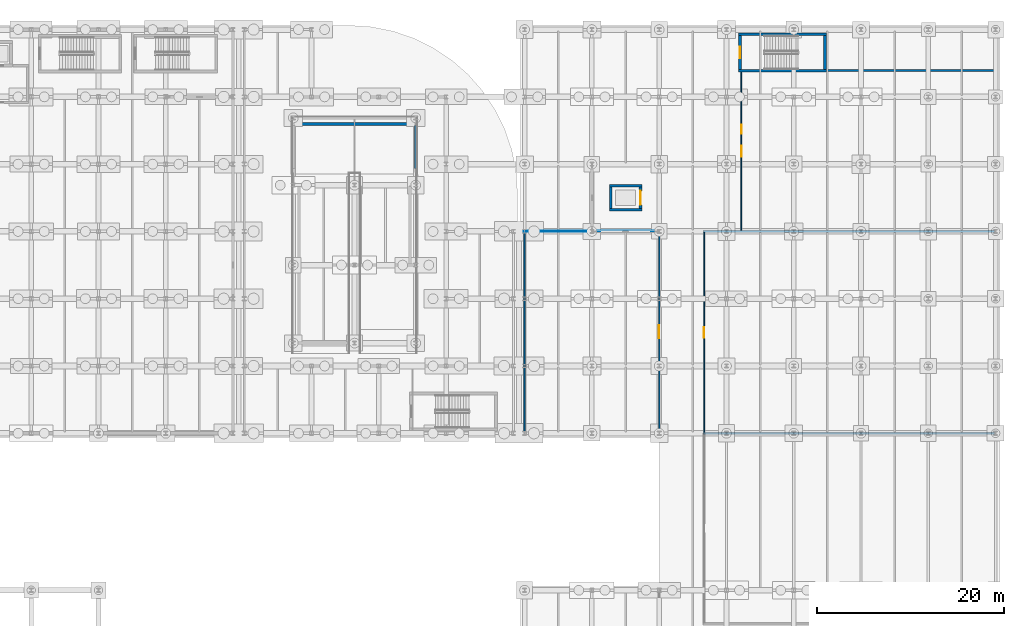
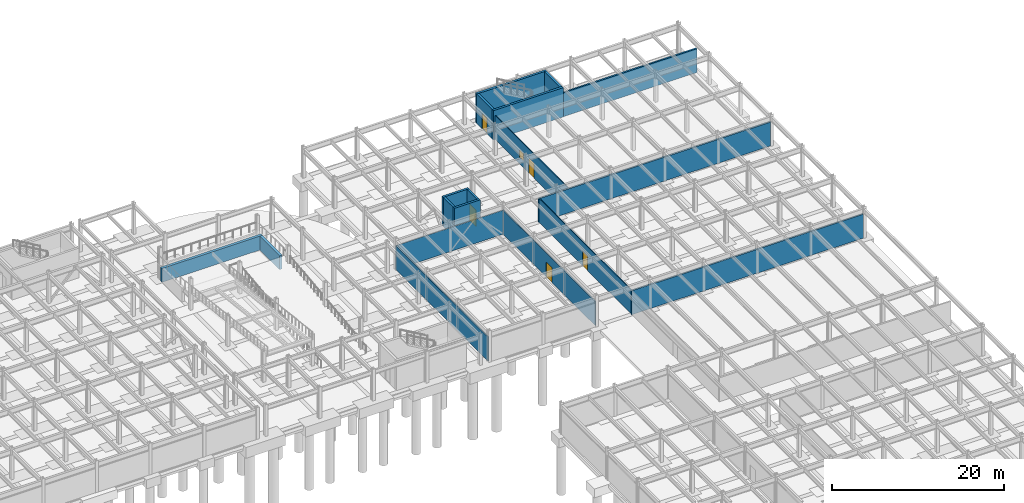
# One storey, part 46 of 54: 18 walls, 5 doors, 1 window, 6 openings.
"""IFC4 building model written with IfcOpenShell, lengths in metres."""

from ifc_helpers import new_model, si_unit, direction, frame, frame_2d, origin, place, context, subcontext, project, spatial, rectangle, extrude, material, layer, layer_set, type_object, element, fill, save


model = new_model("IFC4")

# Units and contexts
model_context = context("Model", 3, precision=1e-05, world=origin(), true_north=direction((0.0, 1.0)))
body_context = subcontext(model_context, "Body", "Model", "MODEL_VIEW")
ifc_project = project(units=[si_unit("LENGTHUNIT", "METRE"), si_unit("AREAUNIT", "SQUARE_METRE"), si_unit("VOLUMEUNIT", "CUBIC_METRE"), si_unit("PLANEANGLEUNIT", "RADIAN"), si_unit("MASSUNIT", "GRAM", prefix="KILO")], contexts=[model_context])

# Site, building, storey
site_placement = place(None, origin())
site = spatial("IfcSite", under=ifc_project, at=site_placement, CompositionType="ELEMENT")
building_placement = place(site_placement, origin())
building = spatial("IfcBuilding", under=site, at=building_placement, Name="Vaelcorin Mobility Hub", CompositionType="ELEMENT")
storey_placement = place(building_placement, frame((0.0, 0.0, -4.5)))
storey = spatial("IfcBuildingStorey", under=building, at=storey_placement, Name="B1", CompositionType="ELEMENT", Elevation=-4.5)

# Walls
ifc_material_1 = material(Name="Reinforced concrete f'c 45 MPa", Category="concrete")
ifc_layer_1 = layer(ifc_material_1, 0.300048828125)
ifc_layer_set_1 = layer_set([ifc_layer_1], Name="Reinforced concrete f'c 45 MPa")
wall_type_1 = type_object("IfcWallType", Name="WL-CORE-300", PredefinedType="SOLIDWALL", material=ifc_layer_set_1)
for number, where, z_axis, x_axis, name in (
    (1, (185.89990234375, 115.60009765625, 0.0), (0.0, 0.0, 1.0), (-1.0, 0.0, 0.0), "ST6 Fire Core Wall B1 South"),
    (2, (176.5, 119.5, 0.0), (0.0, 0.0, 1.0), (1.0, 0.0, 0.0), "ST6 Fire Core Wall B1 North"),
):
    element("IfcWall", number, at=place(storey_placement, frame(where, z_axis=z_axis, x_axis=x_axis)), inside=storey, type_object=wall_type_1, Name=name, PredefinedType="SOLIDWALL", context=body_context, shape_type="SweptSolid", body=[
        extrude(rectangle(XDim=9.39990234375, YDim=0.300048828125, at=frame_2d((4.699951171875, 0.0))), origin(), (0.0, 0.0, 1.0), 4.179931640625),
    ])

# Wall, opening, door
wall_1_placement = place(storey_placement, frame((176.64990234375, 115.75, 0.0), z_axis=(0.0, 0.0, 1.0), x_axis=(0.0, 1.0, 0.0)))
wall_1 = element("IfcWall", 3, at=wall_1_placement, inside=storey, type_object=wall_type_1, Name="ST6 Fire Core Wall B1 West", PredefinedType="SOLIDWALL", context=body_context, shape_type="SweptSolid", body=[
    extrude(rectangle(XDim=3.60009765625, YDim=0.300048828125, at=frame_2d((1.800048828125, 0.0))), origin(), (0.0, 0.0, 1.0), 4.179931640625),
])
opening_1_placement = place(wall_1_placement, frame((1.199951171875, 0.0, 0.0)))
opening_1 = element("IfcOpeningElement", 4, at=opening_1_placement, cuts=wall_1, Name="Opening SD01", PredefinedType="OPENING", context=body_context, shape_type="SweptSolid", body=[
    extrude(rectangle(XDim=1.199951171875, YDim=2.199951171875, at=frame_2d((0.60009765625, 1.10009765625))), frame((0.0, 0.159912109375, 0.0), z_axis=(0.0, -1.0, 0.0), x_axis=(1.0, 0.0, 0.0)), (0.0, 0.0, 1.0), 0.320068359375),
])
ifc_material_2 = material(Name="Hollow-metal insulated steel fire door", Category="steel")
door_type_1 = type_object("IfcDoorType", Name="DR-STAIR-90", OperationType="NOTDEFINED", PredefinedType="DOOR", material=ifc_material_2)
door_1_placement = place(opening_1_placement, origin())
door_1 = element("IfcDoor", 5, at=door_1_placement, inside=storey, type_object=door_type_1, Name="ST6 Protected Stair Door B1", OperationType="SINGLE_SWING_LEFT", OverallHeight=2.199951171875, OverallWidth=1.199951171875, PredefinedType="DOOR", context=body_context, shape_type="SweptSolid", body=[
    extrude(rectangle(XDim=1.199951171875, YDim=2.199951171875, at=frame_2d((0.60009765625, 1.10009765625))), frame((0.0, 0.02490234375, 0.0), z_axis=(0.0, -1.0, 0.0), x_axis=(1.0, 0.0, 0.0)), (0.0, 0.0, 1.0), 0.050048828125),
])
fill(opening_1, door_1)

# Wall
wall_2_placement = place(storey_placement, frame((185.75, 119.35009765625, 0.0), z_axis=(0.0, 0.0, 1.0), x_axis=(0.0, -1.0, 0.0)))
element("IfcWall", 6, at=wall_2_placement, inside=storey, type_object=wall_type_1, Name="ST6 Fire Core Wall B1 East", PredefinedType="SOLIDWALL", context=body_context, shape_type="SweptSolid", body=[
    extrude(rectangle(XDim=3.60009765625, YDim=0.300048828125, at=frame_2d((1.800048828125, 0.0))), origin(), (0.0, 0.0, 1.0), 4.179931640625),
])

# Wall, opening, door
ifc_material_3 = material(Name="Fire-rated acoustic steel-stud gypsum board", Category="steel")
ifc_layer_2 = layer(ifc_material_3, 0.110107421875)
ifc_layer_set_2 = layer_set([ifc_layer_2], Name="Fire-rated acoustic steel-stud gypsum board")
wall_type_2 = type_object("IfcWallType", Name="WL-PART-110", PredefinedType="PARTITIONING", material=ifc_layer_set_2)
wall_3_placement = place(storey_placement, frame((172.800048828125, 76.904052734375, 0.0), z_axis=(0.0, 0.0, 1.0), x_axis=(0.0, 1.0, 0.0)))
wall_3 = element("IfcWall", 7, at=wall_3_placement, inside=storey, type_object=wall_type_2, Name="Fleet Tyre and Parts Store Partition West", PredefinedType="PARTITIONING", context=body_context, shape_type="SweptSolid", body=[
    extrude(rectangle(XDim=21.387939453125, YDim=0.110107421875, at=frame_2d((10.69384765625, 0.0))), origin(), (0.0, 0.0, 1.0), 3.403076171875),
])
opening_2_placement = place(wall_3_placement, frame((10.118896484375, 0.0, 0.0)))
opening_2 = element("IfcOpeningElement", 8, at=opening_2_placement, cuts=wall_3, Name="Opening ID07", PredefinedType="OPENING", context=body_context, shape_type="SweptSolid", body=[
    extrude(rectangle(XDim=1.14990234375, YDim=2.10009765625, at=frame_2d((0.574951171875, 1.050048828125))), frame((0.0, 0.06494140625, 0.0), z_axis=(0.0, -1.0, 0.0), x_axis=(1.0, 0.0, 0.0)), (0.0, 0.0, 1.0), 0.130126953125),
])
ifc_material_4 = material(Name="Solid-core hardwood fire door assembly", Category="wood")
door_type_2 = type_object("IfcDoorType", Name="DR-INT-07", OperationType="NOTDEFINED", PredefinedType="DOOR", material=ifc_material_4)
door_2_placement = place(opening_2_placement, origin())
door_2 = element("IfcDoor", 9, at=door_2_placement, inside=storey, type_object=door_type_2, Name="Fleet Tyre and Parts Store Door", OperationType="SINGLE_SWING_LEFT", OverallHeight=2.10009765625, OverallWidth=1.14990234375, PredefinedType="DOOR", context=body_context, shape_type="SweptSolid", body=[
    extrude(rectangle(XDim=1.14990234375, YDim=2.10009765625, at=frame_2d((0.574951171875, 1.050048828125))), frame((0.0, 0.02490234375, 0.0), z_axis=(0.0, -1.0, 0.0), x_axis=(1.0, 0.0, 0.0)), (0.0, 0.0, 1.0), 0.050048828125),
])
fill(opening_2, door_2)

# Wall, openings, door, window
ifc_layer_3 = layer(ifc_material_3, 0.114990234375)
ifc_layer_set_3 = layer_set([ifc_layer_3], Name="Fire-rated acoustic steel-stud gypsum board")
wall_type_3 = type_object("IfcWallType", Name="WL-PART-115", PredefinedType="PARTITIONING", material=ifc_layer_set_3)
wall_4_placement = place(storey_placement, frame((176.800048828125, 98.508056640625, 0.0), z_axis=(0.0, 0.0, 1.0), x_axis=(0.0, 1.0, 0.0)))
wall_4 = element("IfcWall", 10, at=wall_4_placement, inside=storey, type_object=wall_type_3, Name="Long-Term Cargo-Bike Vault Partition West", PredefinedType="PARTITIONING", context=body_context, shape_type="SweptSolid", body=[
    extrude(rectangle(XDim=16.93994140625, YDim=0.114990234375, at=frame_2d((8.469970703125, 0.0))), origin(), (0.0, 0.0, 1.0), 3.403076171875),
])
opening_3_placement = place(wall_4_placement, frame((7.860107421875, 0.0, 0.0)))
opening_3 = element("IfcOpeningElement", 11, at=opening_3_placement, cuts=wall_4, Name="Opening ID08", PredefinedType="OPENING", context=body_context, shape_type="SweptSolid", body=[
    extrude(rectangle(XDim=1.219970703125, YDim=2.10009765625, at=frame_2d((0.60986328125, 1.050048828125))), frame((0.0, 0.0673828125, 0.0), z_axis=(0.0, -1.0, 0.0), x_axis=(1.0, 0.0, 0.0)), (0.0, 0.0, 1.0), 0.135009765625),
])
opening_4_placement = place(wall_4_placement, frame((10.330078125, 0.0, 0.949951171875)))
opening_4 = element("IfcOpeningElement", 12, at=opening_4_placement, cuts=wall_4, Name="Opening IW-WN01", PredefinedType="OPENING", context=body_context, shape_type="SweptSolid", body=[
    extrude(rectangle(XDim=1.0, YDim=1.0, at=frame_2d((0.5, 0.5))), frame((0.0, 0.0673828125, 0.0), z_axis=(0.0, -1.0, 0.0), x_axis=(1.0, 0.0, 0.0)), (0.0, 0.0, 1.0), 0.135009765625),
])
door_type_3 = type_object("IfcDoorType", Name="DR-INT-08", OperationType="NOTDEFINED", PredefinedType="DOOR", material=ifc_material_4)
door_3_placement = place(opening_3_placement, origin())
door_3 = element("IfcDoor", 13, at=door_3_placement, inside=storey, type_object=door_type_3, Name="Long-Term Cargo-Bike Vault Door", OperationType="SINGLE_SWING_RIGHT", OverallHeight=2.10009765625, OverallWidth=1.219970703125, PredefinedType="DOOR", context=body_context, shape_type="SweptSolid", body=[
    extrude(rectangle(XDim=1.219970703125, YDim=2.10009765625, at=frame_2d((0.60986328125, 1.050048828125))), frame((0.0, 0.02490234375, 0.0), z_axis=(0.0, -1.0, 0.0), x_axis=(1.0, 0.0, 0.0)), (0.0, 0.0, 1.0), 0.050048828125),
])
fill(opening_3, door_3)
ifc_material_5 = material(Name="Acoustic laminated fire-rated interior glazing", Category="glass")
window_type = type_object("IfcWindowType", Name="WIN-INT-01", PartitioningType="SINGLE_PANEL", PredefinedType="WINDOW", material=ifc_material_5)
window_placement = place(opening_4_placement, origin())
window = element("IfcWindow", 14, at=window_placement, inside=storey, type_object=window_type, Name="Long-Term Cargo-Bike Vault Observation Glazing", OverallHeight=1.0, OverallWidth=1.0, PartitioningType="SINGLE_PANEL", PredefinedType="WINDOW", context=body_context, shape_type="SweptSolid", body=[
    extrude(rectangle(XDim=1.0, YDim=1.0, at=frame_2d((0.5, 0.5))), frame((0.0, 0.030029296875, 0.0), z_axis=(0.0, -1.0, 0.0), x_axis=(1.0, 0.0, 0.0)), (0.0, 0.0, 1.0), 0.06005859375),
])
fill(opening_4, window)

# Wall, opening, door
ifc_layer_4 = layer(ifc_material_3, 0.125)
ifc_layer_set_4 = layer_set([ifc_layer_4], Name="Fire-rated acoustic steel-stud gypsum board")
wall_type_4 = type_object("IfcWallType", Name="WL-PART-125", PredefinedType="PARTITIONING", material=ifc_layer_set_4)
wall_5_placement = place(storey_placement, frame((168.0, 98.35107421875, 0.0), z_axis=(0.0, 0.0, 1.0), x_axis=(0.0, -1.0, 0.0)))
wall_5 = element("IfcWall", 15, at=wall_5_placement, inside=storey, type_object=wall_type_4, Name="BESS Energy Storage Vault Partition East", PredefinedType="PARTITIONING", context=body_context, shape_type="SweptSolid", body=[
    extrude(rectangle(XDim=21.4140625, YDim=0.125, at=frame_2d((10.70703125, 0.0))), origin(), (0.0, 0.0, 1.0), 3.403076171875),
])
opening_5_placement = place(wall_5_placement, frame((10.01708984375, 0.0, 0.0)))
opening_5 = element("IfcOpeningElement", 16, at=opening_5_placement, cuts=wall_5, Name="Opening ID10", PredefinedType="OPENING", context=body_context, shape_type="SweptSolid", body=[
    extrude(rectangle(XDim=1.3798828125, YDim=2.10009765625, at=frame_2d((0.68994140625, 1.050048828125))), frame((0.0, 0.072509765625, 0.0), z_axis=(0.0, -1.0, 0.0), x_axis=(1.0, 0.0, 0.0)), (0.0, 0.0, 1.0), 0.14501953125),
])
door_type_4 = type_object("IfcDoorType", Name="DR-INT-10", OperationType="NOTDEFINED", PredefinedType="DOOR", material=ifc_material_4)
door_4_placement = place(opening_5_placement, origin())
door_4 = element("IfcDoor", 17, at=door_4_placement, inside=storey, type_object=door_type_4, Name="BESS Energy Storage Vault Door", OperationType="SINGLE_SWING_RIGHT", OverallHeight=2.10009765625, OverallWidth=1.3798828125, PredefinedType="DOOR", context=body_context, shape_type="SweptSolid", body=[
    extrude(rectangle(XDim=1.3798828125, YDim=2.10009765625, at=frame_2d((0.68994140625, 1.050048828125))), frame((0.0, 0.02490234375, 0.0), z_axis=(0.0, -1.0, 0.0), x_axis=(1.0, 0.0, 0.0)), (0.0, 0.0, 1.0), 0.050048828125),
])
fill(opening_5, door_4)

# Walls
ifc_layer_5 = layer(ifc_material_3, 0.14501953125)
ifc_layer_set_5 = layer_set([ifc_layer_5], Name="Fire-rated acoustic steel-stud gypsum board")
wall_type_5 = type_object("IfcWallType", Name="WL-PART-145", PredefinedType="PARTITIONING", material=ifc_layer_set_5)
wall_6_placement = place(storey_placement, frame((153.60009765625, 76.93701171875, 0.0), z_axis=(0.0, 0.0, 1.0), x_axis=(0.0, 1.0, 0.0)))
element("IfcWall", 18, at=wall_6_placement, inside=storey, type_object=wall_type_5, Name="BESS Energy Storage Vault Partition West", PredefinedType="PARTITIONING", context=body_context, shape_type="SweptSolid", body=[
    extrude(rectangle(XDim=21.4140625, YDim=0.14501953125, at=frame_2d((10.70703125, 0.0))), origin(), (0.0, 0.0, 1.0), 3.403076171875),
])
ifc_material_6 = material(Name="Reinforced acoustic concrete masonry C30/37", Category="masonry")
ifc_layer_6 = layer(ifc_material_6, 0.205078125)
ifc_layer_set_6 = layer_set([ifc_layer_6], Name="Reinforced acoustic concrete masonry C30/37")
wall_type_6 = type_object("IfcWallType", Name="WL-PART-205", PredefinedType="PARTITIONING", material=ifc_layer_set_6)
wall_7_placement = place(storey_placement, frame((172.719970703125, 76.800048828125, 0.0), z_axis=(0.0, 0.0, 1.0), x_axis=(1.0, 0.0, 0.0)))
element("IfcWall", 19, at=wall_7_placement, inside=storey, type_object=wall_type_6, Name="Medium-Voltage Switchgear Room Partition North", PredefinedType="PARTITIONING", context=body_context, shape_type="SweptSolid", body=[
    extrude(rectangle(XDim=31.14794921875, YDim=0.205078125, at=frame_2d((15.573974609375, 0.0))), origin(), (0.0, 0.0, 1.0), 3.403076171875),
])
ifc_layer_7 = layer(ifc_material_6, 0.2119140625)
ifc_layer_set_7 = layer_set([ifc_layer_7], Name="Reinforced acoustic concrete masonry C30/37")
wall_type_7 = type_object("IfcWallType", Name="WL-PART-212", PredefinedType="PARTITIONING", material=ifc_layer_set_7)
wall_8_placement = place(storey_placement, frame((172.719970703125, 98.39990234375, 0.0), z_axis=(0.0, 0.0, 1.0), x_axis=(1.0, 0.0, 0.0)))
element("IfcWall", 20, at=wall_8_placement, inside=storey, type_object=wall_type_7, Name="Fleet Tyre and Parts Store Partition North", PredefinedType="PARTITIONING", context=body_context, shape_type="SweptSolid", body=[
    extrude(rectangle(XDim=31.14794921875, YDim=0.2119140625, at=frame_2d((15.573974609375, 0.0))), origin(), (0.0, 0.0, 1.0), 3.403076171875),
])
ifc_layer_8 = layer(ifc_material_6, 0.22509765625)
ifc_layer_set_8 = layer_set([ifc_layer_8], Name="Reinforced acoustic concrete masonry C30/37")
wall_type_8 = type_object("IfcWallType", Name="WL-PART-225", PredefinedType="PARTITIONING", material=ifc_layer_set_8)
wall_9_placement = place(storey_placement, frame((185.902099609375, 115.60009765625, 0.0), z_axis=(0.0, 0.0, 1.0), x_axis=(1.0, 0.0, 0.0)))
element("IfcWall", 21, at=wall_9_placement, inside=storey, type_object=wall_type_8, Name="Long-Term Cargo-Bike Vault Partition North", PredefinedType="PARTITIONING", context=body_context, shape_type="SweptSolid", body=[
    extrude(rectangle(XDim=17.9658203125, YDim=0.22509765625, at=frame_2d((8.98291015625, 0.0))), origin(), (0.0, 0.0, 1.0), 3.403076171875),
])
ifc_layer_9 = layer(ifc_material_3, 0.094970703125)
ifc_layer_set_9 = layer_set([ifc_layer_9], Name="Fire-rated acoustic steel-stud gypsum board")
wall_type_9 = type_object("IfcWallType", Name="WL-PART-95", PredefinedType="PARTITIONING", material=ifc_layer_set_9)
wall_10_placement = place(storey_placement, frame((153.52001953125, 98.39990234375, 0.0), z_axis=(0.0, 0.0, 1.0), x_axis=(1.0, 0.0, 0.0)))
element("IfcWall", 22, at=wall_10_placement, inside=storey, type_object=wall_type_9, Name="BESS Energy Storage Vault Partition North", PredefinedType="PARTITIONING", context=body_context, shape_type="SweptSolid", body=[
    extrude(rectangle(XDim=14.56005859375, YDim=0.094970703125, at=frame_2d((7.280029296875, 0.0))), origin(), (0.0, 0.0, 1.0), 3.403076171875),
])
ifc_material_7 = material(Name="Concrete f'c 40 MPa", Category="concrete")
ifc_layer_10 = layer(ifc_material_7, 0.35009765625)
ifc_layer_set_10 = layer_set([ifc_layer_10], Name="Concrete f'c 40 MPa")
wall_type_10 = type_object("IfcWallType", Name="WL-RAMP-DRUM350", PredefinedType="SHEAR", material=ifc_layer_set_10)
wall_11_placement = place(storey_placement, frame((141.969970703125, 105.110107421875, 0.0), z_axis=(0.0, 0.0, 1.0), x_axis=(0.0, 1.0, 0.0)))
element("IfcWall", 23, at=wall_11_placement, inside=storey, type_object=wall_type_10, Name="V2E Ramp Pit Shear Wall B1-E", PredefinedType="SHEAR", context=body_context, shape_type="SweptSolid", body=[
    extrude(rectangle(XDim=4.614990234375, YDim=0.35009765625, at=frame_2d((2.3076171875, 0.0))), origin(), (0.0, 0.0, 1.0), 1.969970703125),
])
wall_12_placement = place(storey_placement, frame((128.655029296875, 109.89990234375, 0.0), z_axis=(0.0, 0.0, 1.0), x_axis=(1.0, 0.0, 0.0)))
element("IfcWall", 24, at=wall_12_placement, inside=storey, type_object=wall_type_10, Name="V2E Ramp Pit Shear Wall B1-N", PredefinedType="SHEAR", context=body_context, shape_type="SweptSolid", body=[
    extrude(rectangle(XDim=13.489990234375, YDim=0.35009765625, at=frame_2d((6.7451171875, 0.0))), origin(), (0.0, 0.0, 1.0), 1.969970703125),
])
ifc_layer_11 = layer(ifc_material_1, 0.2900390625)
ifc_layer_set_11 = layer_set([ifc_layer_11], Name="Reinforced concrete f'c 45 MPa")
wall_type_11 = type_object("IfcWallType", Name="WL-SHEAR-290", PredefinedType="SHEAR", material=ifc_layer_set_11)
for number, where, z_axis, x_axis, name in (
    (25, (166.139892578125, 100.705078125, 0.0), (0.0, 0.0, 1.0), (-1.0, 0.0, 0.0), "LF6 Lift Shaft Shear Wall B1 South"),
    (26, (162.659912109375, 103.294921875, 0.0), (0.0, 0.0, 1.0), (1.0, 0.0, 0.0), "LF6 Lift Shaft Shear Wall B1 North"),
):
    element("IfcWall", number, at=place(storey_placement, frame(where, z_axis=z_axis, x_axis=x_axis)), inside=storey, type_object=wall_type_11, Name=name, PredefinedType="SHEAR", context=body_context, shape_type="SweptSolid", body=[
        extrude(rectangle(XDim=3.47998046875, YDim=0.2900390625, at=frame_2d((1.739990234375, 0.0))), origin(), (0.0, 0.0, 1.0), 4.179931640625),
    ])
wall_13_placement = place(storey_placement, frame((162.804931640625, 100.85009765625, 0.0), z_axis=(0.0, 0.0, 1.0), x_axis=(0.0, 1.0, 0.0)))
element("IfcWall", 27, at=wall_13_placement, inside=storey, type_object=wall_type_11, Name="LF6 Lift Shaft Shear Wall B1 West", PredefinedType="SHEAR", context=body_context, shape_type="SweptSolid", body=[
    extrude(rectangle(XDim=2.2998046875, YDim=0.2900390625, at=frame_2d((1.14990234375, 0.0))), origin(), (0.0, 0.0, 1.0), 4.179931640625),
])

# Wall, opening, door
wall_14_placement = place(storey_placement, frame((165.9951171875, 103.14990234375, 0.0), z_axis=(0.0, 0.0, 1.0), x_axis=(0.0, -1.0, 0.0)))
wall_14 = element("IfcWall", 28, at=wall_14_placement, inside=storey, type_object=wall_type_11, Name="LF6 Lift Shaft Shear Wall B1 East", PredefinedType="SHEAR", context=body_context, shape_type="SweptSolid", body=[
    extrude(rectangle(XDim=2.2998046875, YDim=0.2900390625, at=frame_2d((1.14990234375, 0.0))), origin(), (0.0, 0.0, 1.0), 4.179931640625),
])
opening_6_placement = place(wall_14_placement, frame((0.39990234375, 0.0, 0.0)))
opening_6 = element("IfcOpeningElement", 29, at=opening_6_placement, cuts=wall_14, Name="Opening LD4", PredefinedType="OPENING", context=body_context, shape_type="SweptSolid", body=[
    extrude(rectangle(XDim=1.5, YDim=2.300048828125, at=frame_2d((0.75, 1.14990234375))), frame((0.0, 0.155029296875, 0.0), z_axis=(0.0, -1.0, 0.0), x_axis=(1.0, 0.0, 0.0)), (0.0, 0.0, 1.0), 0.31005859375),
])
ifc_material_8 = material(Name="Brushed stainless steel 316L", Category="steel")
door_type_5 = type_object("IfcDoorType", Name="DR-LIFT-LD4", OperationType="NOTDEFINED", PredefinedType="DOOR", material=ifc_material_8)
door_5_placement = place(opening_6_placement, origin())
door_5 = element("IfcDoor", 30, at=door_5_placement, inside=storey, type_object=door_type_5, Name="LF6 Lift Landing Sliding Door B1", OperationType="DOUBLE_DOOR_SLIDING", OverallHeight=2.300048828125, OverallWidth=1.5, PredefinedType="DOOR", context=body_context, shape_type="SweptSolid", body=[
    extrude(rectangle(XDim=1.5, YDim=2.300048828125, at=frame_2d((0.75, 1.14990234375))), frame((0.0, 0.02490234375, 0.0), z_axis=(0.0, -1.0, 0.0), x_axis=(1.0, 0.0, 0.0)), (0.0, 0.0, 1.0), 0.050048828125),
])
fill(opening_6, door_5)

save(model, "model.ifc")
